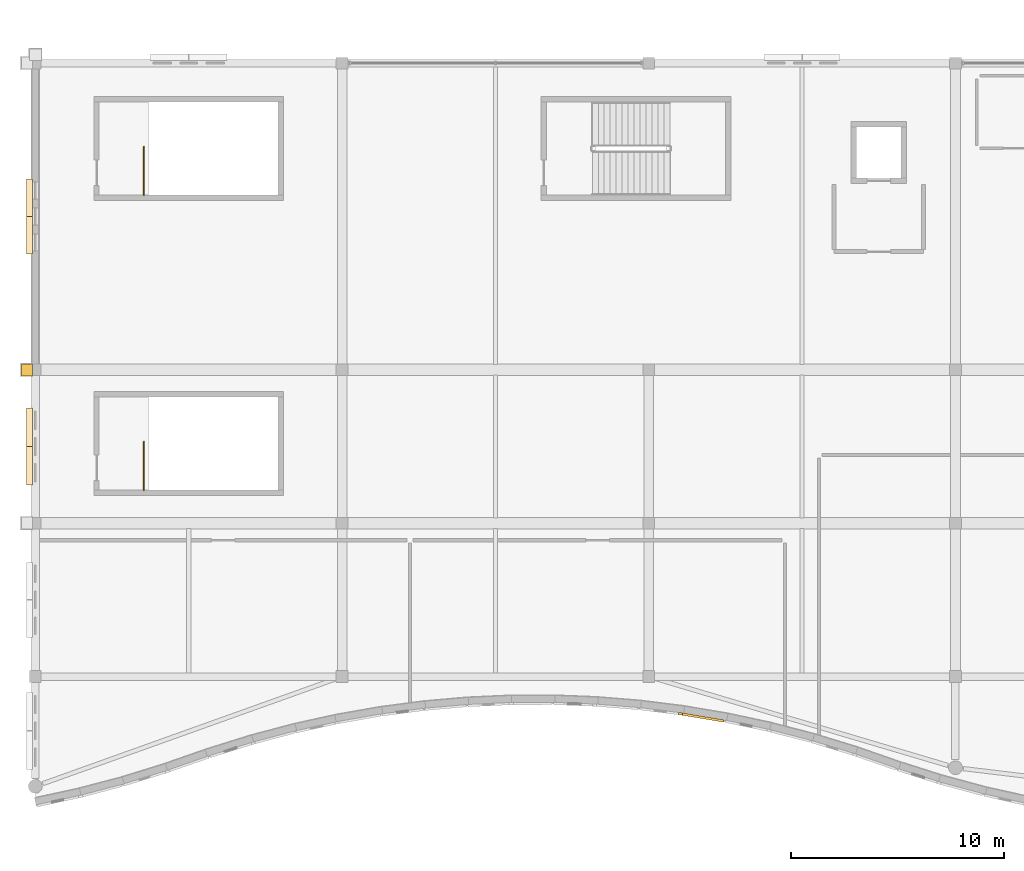
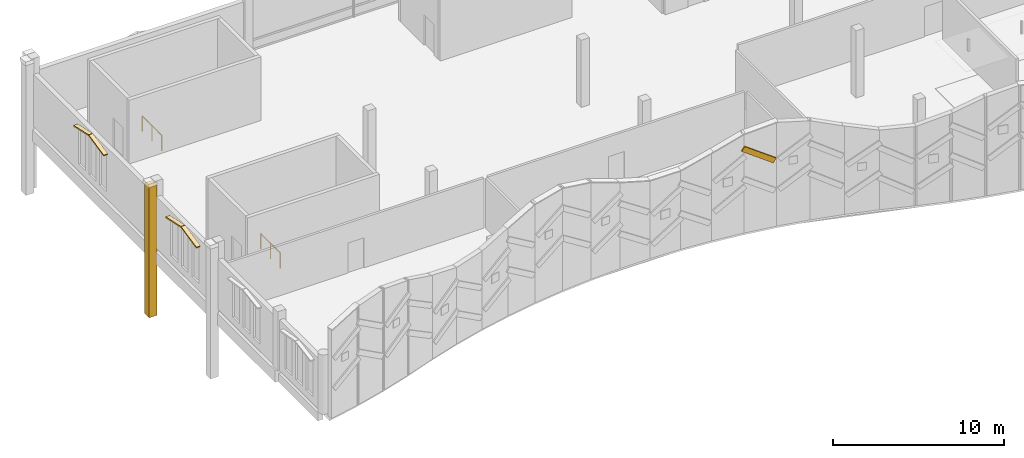
# One storey, part 104 of 116: 6 coverings, 2 railings.
"""IFC4 building model written with IfcOpenShell, lengths in metres."""

from ifc_helpers import new_model, si_unit, direction, frame, origin, origin_2d, place, context, subcontext, project, spatial, polyline, circle, outline, extrude, material, layer, layer_set, type_object, element, save


model = new_model("IFC4")

# Units and contexts
model_context = context("Model", 3, precision=1e-05, world=origin(), true_north=direction((0.0, 1.0)))
body_context = subcontext(model_context, "Body", "Model", "MODEL_VIEW")
ifc_project = project(units=[si_unit("LENGTHUNIT", "METRE"), si_unit("AREAUNIT", "SQUARE_METRE"), si_unit("VOLUMEUNIT", "CUBIC_METRE"), si_unit("PLANEANGLEUNIT", "RADIAN"), si_unit("MASSUNIT", "GRAM", prefix="KILO")], contexts=[model_context])

# Site, building, storey
site_placement = place(None, origin())
site = spatial("IfcSite", under=ifc_project, at=site_placement, CompositionType="ELEMENT")
building_placement = place(site_placement, origin())
building = spatial("IfcBuilding", under=site, at=building_placement, Name="Cendralis Lancet Convention Centre", CompositionType="ELEMENT")
storey_placement = place(building_placement, frame((0.0, 0.0, 15.0)))
storey = spatial("IfcBuildingStorey", under=building, at=storey_placement, Name="L03", CompositionType="ELEMENT", Elevation=15.0)

# Coverings
ifc_material_1 = material(Name="Warm buff sandstone chevron cassette", Category="masonry")
ifc_layer_1 = layer(ifc_material_1, 0.06005859375, Name="Warm buff sandstone chevron cassette")
ifc_layer_set_1 = layer_set([ifc_layer_1], Name="Warm buff sandstone chevron cassette")
covering_type_1 = type_object("IfcCoveringType", Name="ARC-CV-CLAD1", PredefinedType="CLADDING", material=ifc_layer_set_1)
for number, where, z_axis, x_axis, name in (
    (1, (-0.419921875, 16.199951171875, 3.27001953125), (0.0, -0.210275726475, 0.977642122075), (1.0, 0.0, 0.0), "L03 Gothic Pointed Lancet Hood-Mould #0293L"),
    (2, (-0.419921875, 18.010009765625, 3.655029296875), (0.0, 0.210275726475, 0.977642122075), (1.0, 0.0, 0.0), "L03 Gothic Pointed Lancet Hood-Mould #0294R"),
):
    element("IfcCovering", number, at=place(storey_placement, frame(where, z_axis=z_axis, x_axis=x_axis)), inside=storey, type_object=covering_type_1, Name=name, PredefinedType="CLADDING", context=body_context, shape_type="SweptSolid", body=[
        extrude(outline(polyline([(0.0, 0.0), (0.284912109375, 0.0), (0.284912109375, 1.830975795826503), (0.0, 1.830975795826503), (0.0, 0.0)])), origin(), (0.0, 0.0, -1.0), 0.090087890625),
    ])
for number, where, z_axis, x_axis, name in (
    (3, (-0.419921875, 27.0400390625, 3.27001953125), (0.0, -0.214866981087, 0.97664332304), (1.0, 0.0, 0.0), "L03 Gothic Pointed Lancet Hood-Mould #0295L"),
    (4, (-0.419921875, 28.81005859375, 3.655029296875), (0.0, 0.214866981087, 0.97664332304), (1.0, 0.0, 0.0), "L03 Gothic Pointed Lancet Hood-Mould #0296R"),
):
    element("IfcCovering", number, at=place(storey_placement, frame(where, z_axis=z_axis, x_axis=x_axis)), inside=storey, type_object=covering_type_1, Name=name, PredefinedType="CLADDING", context=body_context, shape_type="SweptSolid", body=[
        extrude(outline(polyline([(0.0, 0.0), (0.284912109375, 0.0), (0.284912109375, 1.791851701348808), (0.0, 1.791851701348808), (0.0, 0.0)])), origin(), (0.0, 0.0, -1.0), 0.090087890625),
    ])
covering_1_placement = place(storey_placement, frame((0.0, 0.0, -4.800048828125)))
element("IfcCovering", 5, at=covering_1_placement, inside=storey, type_object=covering_type_1, Name="Gothic Stepped Stone Buttress Shaft #0078", PredefinedType="CLADDING", context=body_context, shape_type="SweptSolid", body=[
    extrude(outline(polyline([(-0.659912109375, 21.8798828125), (-0.659912109375, 21.320068359375), (-0.1298828125, 21.320068359375), (-0.1298828125, 21.8798828125), (-0.659912109375, 21.8798828125)])), origin(), (0.0, 0.0, 1.0), 9.300048828125),
])
ifc_material_2 = material(Name="Dark Andean slate chevron cassette", Category="masonry")
ifc_layer_2 = layer(ifc_material_2, 0.06005859375, Name="Dark Andean slate chevron cassette")
ifc_layer_set_2 = layer_set([ifc_layer_2], Name="Dark Andean slate chevron cassette")
covering_type_2 = type_object("IfcCoveringType", Name="ARC-CV-CLAD2", PredefinedType="CLADDING", material=ifc_layer_set_2)
covering_2_placement = place(storey_placement, frame((30.373779296875, 5.381103515625, 6.22802734375), z_axis=(0.542412257957, -0.090910490929, 0.835179157461), x_axis=(0.823717737844, -0.137888802607, -0.549977969084)))
element("IfcCovering", 6, at=covering_2_placement, inside=storey, type_object=covering_type_2, Name="L03 Diagonal Stone Chevron Relief CL-ST2 #0096", PredefinedType="CLADDING", context=body_context, shape_type="SweptSolid", body=[
    extrude(outline(polyline([(0.0, 0.0), (2.363736131873474, 4.50079426853045e-17), (2.36383825911422, 0.11017473594647724), (-6.531146414592501e-05, 0.10989362576594278), (0.0, 0.0)])), origin(), (0.0, 0.0, -1.0), 0.360107421875),
])

# Railings
ifc_material_3 = material(Name="Steel S355", Category="steel")
railing_type = type_object("IfcRailingType", Name="ARC-RL-CGD", PredefinedType="GUARDRAIL", material=ifc_material_3)
for number, where, name in (
    (7, (5.10009765625, 15.949951171875, 0.0), "L03 ST-17 top well guard 1"),
    (8, (5.10009765625, 29.800048828125, 0.0), "L03 ST-20 top well guard 1"),
):
    element("IfcRailing", number, at=place(storey_placement, frame(where)), inside=storey, type_object=railing_type, Name=name, PredefinedType="GUARDRAIL", context=body_context, shape_type="SweptSolid", body=[
        extrude(circle(Radius=0.02392578125, at=origin_2d()), frame((0.0, 0.0, 1.076171875), z_axis=(0.0, 1.0, 0.0), x_axis=(-1.0, 0.0, 0.0)), (0.0, 0.0, 1.0), 2.280029296875),
        extrude(circle(Radius=0.02099609375, at=origin_2d()), origin(), (0.0, 0.0, 1.0), 1.052001953125),
        extrude(circle(Radius=0.02099609375, at=origin_2d()), frame((0.0, 1.14013671875, 0.0)), (0.0, 0.0, 1.0), 1.052001953125),
        extrude(circle(Radius=0.02099609375, at=origin_2d()), frame((0.0, 2.280029296875, 0.0)), (0.0, 0.0, 1.0), 1.052001953125),
    ])

save(model, "model.ifc")
